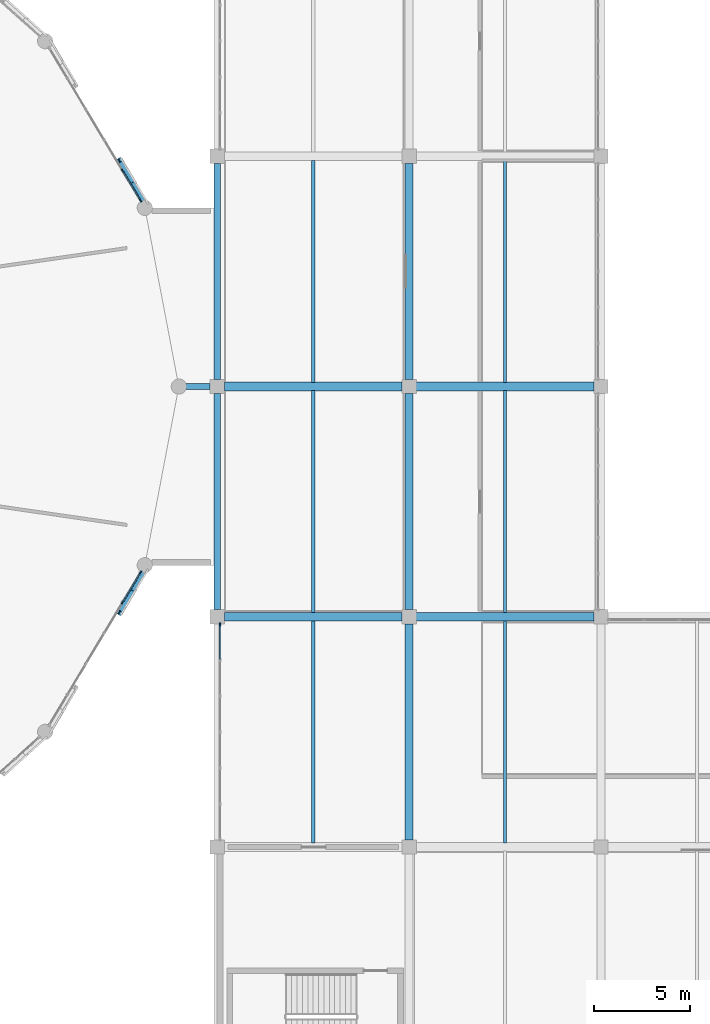
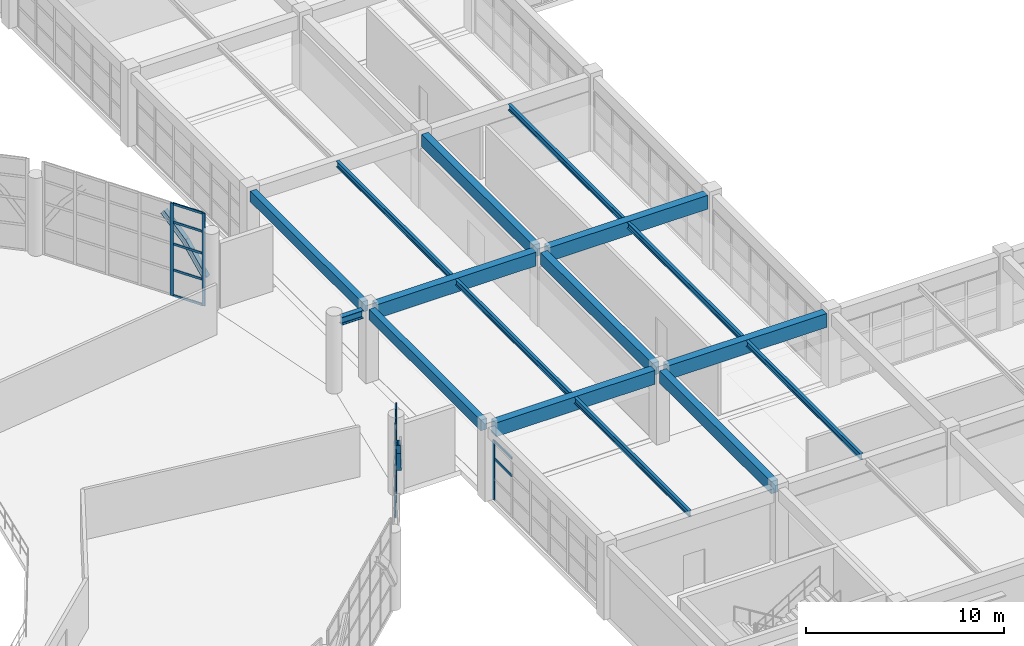
# One storey, part 42 of 109: 20 beams, 17 members, 3 elements without a shape of their own.
"""IFC4 building model written with IfcOpenShell, lengths in metres."""

from ifc_helpers import new_model, si_unit, direction, frame, origin, origin_2d, place, context, subcontext, project, spatial, rectangle, i_section, extrude, material, layer, layer_set, material_profile, profile_set, type_object, element, aggregate, save


model = new_model("IFC4")

# Units and contexts
model_context = context("Model", 3, precision=1e-05, world=origin(), true_north=direction((0.0, 1.0)))
body_context = subcontext(model_context, "Body", "Model", "MODEL_VIEW")
ifc_project = project(units=[si_unit("LENGTHUNIT", "METRE"), si_unit("AREAUNIT", "SQUARE_METRE"), si_unit("VOLUMEUNIT", "CUBIC_METRE"), si_unit("PLANEANGLEUNIT", "RADIAN"), si_unit("MASSUNIT", "GRAM", prefix="KILO")], contexts=[model_context])

# Site, building, storey
site_placement = place(None, origin())
site = spatial("IfcSite", under=ifc_project, at=site_placement, CompositionType="ELEMENT")
building_placement = place(site_placement, origin())
building = spatial("IfcBuilding", under=site, at=building_placement, Name="Kivolera Central Railway Station", CompositionType="ELEMENT")
storey_placement = place(building_placement, frame((0.0, 0.0, 9.60009765625)))
storey = spatial("IfcBuildingStorey", under=building, at=storey_placement, Name="L02", CompositionType="ELEMENT", Elevation=9.60009765625)

# Beams
ifc_material_1 = material(Name="Steel S355", Category="steel")
ifc_material_profile_1 = material_profile(ifc_material_1, i_section(OverallWidth=0.169921875, OverallDepth=0.360107421875, WebThickness=0.008056640625, FlangeThickness=0.0126953125, FilletRadius=0.01806640625, at=origin_2d()), Name="IPE 360")
ifc_profile_set_1 = profile_set([ifc_material_profile_1], Name="Steel S355")
beam_type_1 = type_object("IfcBeamType", Name="BM-JST-IPE360", PredefinedType="JOIST", material=ifc_profile_set_1)
for number, where, z_axis, x_axis, name in (
    (1, (123.0, 66.217041015625, 4.327880859375), (0.0, 1.0, 0.0), (-1.0, 0.0, 0.0), "L02 Floor Joist 12-13/F-G"),
    (2, (123.0, 78.217041015625, 4.327880859375), (0.0, 1.0, 0.0), (-1.0, 0.0, 0.0), "L02 Floor Joist 12-13/G-H"),
    (3, (123.0, 90.217041015625, 4.327880859375), (0.0, 1.0, 0.0), (-1.0, 0.0, 0.0), "L02 Floor Joist 12-13/H-J"),
    (4, (133.0, 66.217041015625, 4.327880859375), (0.0, 1.0, 0.0), (-1.0, 0.0, 0.0), "L02 Floor Joist 13-14/F-G"),
    (5, (133.0, 78.217041015625, 4.327880859375), (0.0, 1.0, 0.0), (-1.0, 0.0, 0.0), "L02 Floor Joist 13-14/G-H"),
    (6, (133.0, 90.217041015625, 4.327880859375), (0.0, 1.0, 0.0), (-1.0, 0.0, 0.0), "L02 Floor Joist 13-14/H-J"),
):
    element("IfcBeam", number, at=place(storey_placement, frame(where, z_axis=z_axis, x_axis=x_axis)), inside=storey, type_object=beam_type_1, Name=name, PredefinedType="JOIST", context=body_context, shape_type="SweptSolid", body=[
        extrude(i_section(OverallWidth=0.169921875, OverallDepth=0.360107421875, WebThickness=0.008056640625, FlangeThickness=0.0126953125, FilletRadius=0.01806640625, at=origin_2d()), origin(), (0.0, 0.0, 1.0), 11.56591796875),
    ])
ifc_material_profile_2 = material_profile(ifc_material_1, i_section(OverallWidth=0.300048828125, OverallDepth=0.300048828125, WebThickness=0.010986328125, FlangeThickness=0.01904296875, FilletRadius=0.027099609375, at=origin_2d()), Name="HEB 300")
ifc_profile_set_2 = profile_set([ifc_material_profile_2], Name="Steel S355")
beam_type_2 = type_object("IfcBeamType", Name="BM-LANT-ARCH", PredefinedType="SPANDREL", material=ifc_profile_set_2)
beam_1_placement = place(storey_placement, frame((114.14892578125, 99.68310546875, 1.699951171875), z_axis=(-0.277888129069, 0.464587463063, 0.840795264548), x_axis=(-0.858196524113, -0.513321269772, 0.0)))
element("IfcBeam", 7, at=beam_1_placement, inside=storey, type_object=beam_type_2, Name="Oval Lantern Structural Arch Rib 02.1", PredefinedType="SPANDREL", context=body_context, shape_type="SweptSolid", body=[
    extrude(i_section(OverallWidth=0.300048828125, OverallDepth=0.300048828125, WebThickness=0.010986328125, FlangeThickness=0.01904296875, FilletRadius=0.027099609375, at=origin_2d()), origin(), (0.0, 0.0, 1.0), 2.259765625),
])
for number, where, z_axis, x_axis, name in (
    (8, (113.52099609375, 100.73291015625, 3.599853515625), (-0.343344267824, 0.573619875132, 0.743690091776), (-0.858038634745, -0.513585145116, 0.0), "Oval Lantern Structural Arch Rib 02.2"),
    (9, (112.89306640625, 78.218017578125, 4.9599609375), (0.343344267824, 0.573619875132, -0.743690091776), (-0.858038634745, 0.513585145116, 0.0), "Oval Lantern Structural Arch Rib 23.5"),
):
    element("IfcBeam", number, at=place(storey_placement, frame(where, z_axis=z_axis, x_axis=x_axis)), inside=storey, type_object=beam_type_2, Name=name, PredefinedType="SPANDREL", context=body_context, shape_type="SweptSolid", body=[
        extrude(i_section(OverallWidth=0.300048828125, OverallDepth=0.300048828125, WebThickness=0.010986328125, FlangeThickness=0.01904296875, FilletRadius=0.027099609375, at=origin_2d()), origin(), (0.0, 0.0, 1.0), 1.828857421875),
    ])
beam_2_placement = place(storey_placement, frame((113.52099609375, 79.26708984375, 3.599853515625), z_axis=(0.277888129069, 0.464587463063, -0.840795264548), x_axis=(-0.858196524113, 0.513321269772, 0.0)))
element("IfcBeam", 10, at=beam_2_placement, inside=storey, type_object=beam_type_2, Name="Oval Lantern Structural Arch Rib 23.6", PredefinedType="SPANDREL", context=body_context, shape_type="SweptSolid", body=[
    extrude(i_section(OverallWidth=0.300048828125, OverallDepth=0.300048828125, WebThickness=0.010986328125, FlangeThickness=0.01904296875, FilletRadius=0.027099609375, at=origin_2d()), origin(), (0.0, 0.0, 1.0), 2.259765625),
])
ifc_material_2 = material(Name="Concrete C40/50", Category="concrete")
ifc_material_profile_3 = material_profile(ifc_material_2, rectangle(XDim=0.39990234375, YDim=0.75, at=origin_2d()), Name="RC 400x750")
ifc_profile_set_3 = profile_set([ifc_material_profile_3], Name="Concrete C40/50")
beam_type_3 = type_object("IfcBeamType", Name="BM-RC-400x750", PredefinedType="BEAM", material=ifc_profile_set_3)
for number, where, z_axis, x_axis, name in (
    (11, (128.0, 66.366943359375, 4.14501953125), (0.0, 1.0, 0.0), (-1.0, 0.0, 0.0), "L02 Wing Y-Beam 13:F-G"),
    (12, (128.0, 78.366943359375, 4.14501953125), (0.0, 1.0, 0.0), (-1.0, 0.0, 0.0), "L02 Wing Y-Beam 13:G-H"),
    (13, (128.0, 90.366943359375, 4.14501953125), (0.0, 1.0, 0.0), (-1.0, 0.0, 0.0), "L02 Wing Y-Beam 13:H-J"),
):
    element("IfcBeam", number, at=place(storey_placement, frame(where, z_axis=z_axis, x_axis=x_axis)), inside=storey, type_object=beam_type_3, Name=name, PredefinedType="BEAM", context=body_context, shape_type="SweptSolid", body=[
        extrude(rectangle(XDim=0.39990234375, YDim=0.75, at=origin_2d()), origin(), (0.0, 0.0, 1.0), 11.26611328125),
    ])
ifc_material_profile_4 = material_profile(ifc_material_2, rectangle(XDim=0.449951171875, YDim=0.85009765625, at=origin_2d()), Name="RC 450x850")
ifc_profile_set_4 = profile_set([ifc_material_profile_4], Name="Concrete C40/50")
beam_type_4 = type_object("IfcBeamType", Name="BM-RC-450x850", PredefinedType="BEAM", material=ifc_profile_set_4)
for number, where, z_axis, x_axis, name in (
    (14, (118.366943359375, 78.0, 4.094970703125), (1.0, 0.0, 0.0), (0.0, 1.0, 0.0), "L02 Wing X-Beam G:12-13"),
    (15, (128.366943359375, 78.0, 4.094970703125), (1.0, 0.0, 0.0), (0.0, 1.0, 0.0), "L02 Wing X-Beam G:13-14"),
    (16, (118.366943359375, 90.0, 4.094970703125), (1.0, 0.0, 0.0), (0.0, 1.0, 0.0), "L02 Wing X-Beam H:12-13"),
    (17, (128.366943359375, 90.0, 4.094970703125), (1.0, 0.0, 0.0), (0.0, 1.0, 0.0), "L02 Wing X-Beam H:13-14"),
):
    element("IfcBeam", number, at=place(storey_placement, frame(where, z_axis=z_axis, x_axis=x_axis)), inside=storey, type_object=beam_type_4, Name=name, PredefinedType="BEAM", context=body_context, shape_type="SweptSolid", body=[
        extrude(rectangle(XDim=0.449951171875, YDim=0.85009765625, at=origin_2d()), origin(), (0.0, 0.0, 1.0), 9.26611328125),
    ])
ifc_material_profile_5 = material_profile(ifc_material_1, i_section(OverallWidth=0.300048828125, OverallDepth=0.489990234375, WebThickness=0.011962890625, FlangeThickness=0.02294921875, FilletRadius=0.027099609375, at=origin_2d()), Name="HEA 500")
ifc_profile_set_5 = profile_set([ifc_material_profile_5], Name="Steel S355")
beam_type_5 = type_object("IfcBeamType", Name="BM-SHD-HEA500", PredefinedType="BEAM", material=ifc_profile_set_5)
beam_3_placement = place(storey_placement, frame((116.3798828125, 90.0, 4.14990234375), z_axis=(1.0, 0.0, 0.0), x_axis=(0.0, 1.0, 0.0)))
element("IfcBeam", 18, at=beam_3_placement, inside=storey, type_object=beam_type_5, Name="L02 Oval-to-Wing Structural Frame Tie Beam", PredefinedType="BEAM", context=body_context, shape_type="SweptSolid", body=[
    extrude(i_section(OverallWidth=0.300048828125, OverallDepth=0.489990234375, WebThickness=0.011962890625, FlangeThickness=0.02294921875, FilletRadius=0.027099609375, at=origin_2d()), origin(), (0.0, 0.0, 1.0), 1.25),
])
ifc_material_profile_6 = material_profile(ifc_material_2, rectangle(XDim=0.35009765625, YDim=0.64990234375, at=origin_2d()), Name="RC 350x650")
ifc_profile_set_6 = profile_set([ifc_material_profile_6], Name="Concrete C40/50")
beam_type_6 = type_object("IfcBeamType", Name="BM-SPN-RC650", PredefinedType="SPANDREL", material=ifc_profile_set_6)
for number, where, z_axis, x_axis, name in (
    (19, (118.0, 78.366943359375, 4.19482421875), (0.0, 1.0, 0.0), (-1.0, 0.0, 0.0), "L02 Wing Y-Beam 12:G-H"),
    (20, (118.0, 90.366943359375, 4.19482421875), (0.0, 1.0, 0.0), (-1.0, 0.0, 0.0), "L02 Wing Y-Beam 12:H-J"),
):
    element("IfcBeam", number, at=place(storey_placement, frame(where, z_axis=z_axis, x_axis=x_axis)), inside=storey, type_object=beam_type_6, Name=name, PredefinedType="SPANDREL", context=body_context, shape_type="SweptSolid", body=[
        extrude(rectangle(XDim=0.35009765625, YDim=0.64990234375, at=origin_2d()), origin(), (0.0, 0.0, 1.0), 11.26611328125),
    ])

# Curtain wall, members
ifc_material_3 = material(Name="Anodised aluminium", Category="aluminium")
ifc_layer_1 = layer(ifc_material_3, 0.179931640625, Name="Anodised aluminium")
ifc_layer_set_1 = layer_set([ifc_layer_1], Name="Anodised aluminium")
curtain_wall_type_1 = type_object("IfcCurtainWallType", Name="CW-SYS-03", PredefinedType="NOTDEFINED", material=ifc_layer_set_1)
curtain_wall_1_placement = place(storey_placement, origin())
curtain_wall_1 = element("IfcCurtainWall", 21, at=curtain_wall_1_placement, inside=storey, type_object=curtain_wall_type_1, Name="L02 Curtain Wall CW-L02-OVL-01", PredefinedType="NOTDEFINED")
ifc_material_profile_7 = material_profile(ifc_material_3, rectangle(XDim=0.070068359375, YDim=0.179931640625, at=origin_2d()), Name="ALU MULL 70x180")
ifc_profile_set_7 = profile_set([ifc_material_profile_7], Name="Anodised aluminium")
member_type_1 = type_object("IfcMemberType", Name="CWM-MUL-1", PredefinedType="MULLION", material=ifc_profile_set_7)
member_1_placement = place(storey_placement, frame((113.06591796875, 101.259521484375, -0.005126953125), z_axis=(0.0, 0.0, 1.0), x_axis=(0.858117186396, 0.513453887327, 0.0)))
member_1 = element("IfcMember", 22, at=member_1_placement, type_object=member_type_1, Name="CW-03 mullion 5", PredefinedType="MULLION", context=body_context, shape_type="SweptSolid", body=[
    extrude(rectangle(XDim=0.070068359375, YDim=0.179931640625, at=origin_2d()), origin(), (0.0, 0.0, 1.0), 5.705078125),
])
member_2_placement = place(storey_placement, frame((114.005126953125, 99.68994140625, -0.005126953125), z_axis=(0.0, 0.0, 1.0), x_axis=(0.858117186396, 0.513453887327, 0.0)))
member_2 = element("IfcMember", 23, at=member_2_placement, type_object=member_type_1, Name="CW-03 mullion 6", PredefinedType="MULLION", context=body_context, shape_type="SweptSolid", body=[
    extrude(rectangle(XDim=0.070068359375, YDim=0.179931640625, at=origin_2d()), origin(), (0.0, 0.0, 1.0), 5.705078125),
])

curtain_wall_2_placement = place(storey_placement, origin())
curtain_wall_2 = element("IfcCurtainWall", 24, at=curtain_wall_2_placement, inside=storey, type_object=curtain_wall_type_1, Name="L02 Curtain Wall CW-L02-OVL-22", PredefinedType="NOTDEFINED")
member_3_placement = place(storey_placement, frame((114.005126953125, 80.31005859375, -0.005126953125), z_axis=(0.0, 0.0, 1.0), x_axis=(0.858117186396, -0.513453887327, 0.0)))
member_3 = element("IfcMember", 25, at=member_3_placement, type_object=member_type_1, Name="CW-03 mullion 1", PredefinedType="MULLION", context=body_context, shape_type="SweptSolid", body=[
    extrude(rectangle(XDim=0.070068359375, YDim=0.179931640625, at=origin_2d()), origin(), (0.0, 0.0, 1.0), 5.705078125),
])
member_4_placement = place(storey_placement, frame((113.06591796875, 78.740478515625, -0.005126953125), z_axis=(0.0, 0.0, 1.0), x_axis=(0.858117186396, -0.513453887327, 0.0)))
member_4 = element("IfcMember", 26, at=member_4_placement, type_object=member_type_1, Name="CW-03 mullion 2", PredefinedType="MULLION", context=body_context, shape_type="SweptSolid", body=[
    extrude(rectangle(XDim=0.070068359375, YDim=0.179931640625, at=origin_2d()), origin(), (0.0, 0.0, 1.0), 5.705078125),
])

# Curtain wall, member
ifc_layer_2 = layer(ifc_material_3, 0.179931640625, Name="Anodised aluminium")
ifc_layer_set_2 = layer_set([ifc_layer_2], Name="Anodised aluminium")
curtain_wall_type_2 = type_object("IfcCurtainWallType", Name="CW-SYS-28", PredefinedType="NOTDEFINED", material=ifc_layer_set_2)
curtain_wall_3_placement = place(storey_placement, origin())
curtain_wall_3 = element("IfcCurtainWall", 27, at=curtain_wall_3_placement, inside=storey, type_object=curtain_wall_type_2, Name="L02 Curtain Wall CW-L02-WEST-F", PredefinedType="NOTDEFINED")
member_5_placement = place(storey_placement, frame((118.153076171875, 77.594970703125, -0.005126953125), z_axis=(0.0, 0.0, 1.0), x_axis=(-1.0, 0.0, 0.0)))
member_5 = element("IfcMember", 28, at=member_5_placement, type_object=member_type_1, Name="CW-28 mullion 7", PredefinedType="MULLION", context=body_context, shape_type="SweptSolid", body=[
    extrude(rectangle(XDim=0.070068359375, YDim=0.179931640625, at=origin_2d()), origin(), (0.0, 0.0, 1.0), 3.6630859375),
])

# Member
ifc_material_profile_8 = material_profile(ifc_material_3, rectangle(XDim=0.070068359375, YDim=0.139892578125, at=origin_2d()), Name="ALU TRAN 70x140")
ifc_profile_set_8 = profile_set([ifc_material_profile_8], Name="Anodised aluminium")
member_type_2 = type_object("IfcMemberType", Name="CWM-TRN-1", PredefinedType="USERDEFINED", material=ifc_profile_set_8)
member_6_placement = place(storey_placement, frame((113.083984375, 101.229248046875, 0.034912109375), z_axis=(0.513454309114, -0.85811693402, 0.0), x_axis=(0.85811693402, 0.513454309114, 0.0)))
member_6 = element("IfcMember", 29, at=member_6_placement, type_object=member_type_2, Name="CW-03 transom 5.1", ObjectType="TRANSOM", PredefinedType="USERDEFINED", context=body_context, shape_type="SweptSolid", body=[
    extrude(rectangle(XDim=0.070068359375, YDim=0.139892578125, at=origin_2d()), origin(), (0.0, 0.0, 1.0), 1.7587890625),
])

member_7_placement = place(storey_placement, frame((113.083984375, 101.229248046875, 1.599853515625), z_axis=(0.513454309114, -0.85811693402, 0.0), x_axis=(0.85811693402, 0.513454309114, 0.0)))
member_7 = element("IfcMember", 30, at=member_7_placement, type_object=member_type_2, Name="CW-03 transom 5.2", ObjectType="TRANSOM", PredefinedType="USERDEFINED", context=body_context, shape_type="SweptSolid", body=[
    extrude(rectangle(XDim=0.070068359375, YDim=0.139892578125, at=origin_2d()), origin(), (0.0, 0.0, 1.0), 1.7587890625),
])

member_8_placement = place(storey_placement, frame((113.083984375, 101.229248046875, 3.199951171875), z_axis=(0.513454309114, -0.85811693402, 0.0), x_axis=(0.85811693402, 0.513454309114, 0.0)))
member_8 = element("IfcMember", 31, at=member_8_placement, type_object=member_type_2, Name="CW-03 transom 5.3", ObjectType="TRANSOM", PredefinedType="USERDEFINED", context=body_context, shape_type="SweptSolid", body=[
    extrude(rectangle(XDim=0.070068359375, YDim=0.139892578125, at=origin_2d()), origin(), (0.0, 0.0, 1.0), 1.7587890625),
])

member_9_placement = place(storey_placement, frame((113.083984375, 101.229248046875, 4.5498046875), z_axis=(0.513454309114, -0.85811693402, 0.0), x_axis=(0.85811693402, 0.513454309114, 0.0)))
member_9 = element("IfcMember", 32, at=member_9_placement, type_object=member_type_2, Name="CW-03 transom 5.4", ObjectType="TRANSOM", PredefinedType="USERDEFINED", context=body_context, shape_type="SweptSolid", body=[
    extrude(rectangle(XDim=0.070068359375, YDim=0.139892578125, at=origin_2d()), origin(), (0.0, 0.0, 1.0), 1.7587890625),
])

member_10_placement = place(storey_placement, frame((113.083984375, 101.229248046875, 5.664794921875), z_axis=(0.513454309114, -0.85811693402, 0.0), x_axis=(0.85811693402, 0.513454309114, 0.0)))
member_10 = element("IfcMember", 33, at=member_10_placement, type_object=member_type_2, Name="CW-03 transom 5.5", ObjectType="TRANSOM", PredefinedType="USERDEFINED", context=body_context, shape_type="SweptSolid", body=[
    extrude(rectangle(XDim=0.070068359375, YDim=0.139892578125, at=origin_2d()), origin(), (0.0, 0.0, 1.0), 1.7587890625),
])

aggregate(curtain_wall_1, [member_1, member_2, member_6, member_7, member_8, member_9, member_10])

member_11_placement = place(storey_placement, frame((113.987060546875, 80.280029296875, 0.034912109375), z_axis=(-0.513454309114, -0.85811693402, 0.0), x_axis=(0.85811693402, -0.513454309114, 0.0)))
member_11 = element("IfcMember", 34, at=member_11_placement, type_object=member_type_2, Name="CW-03 transom 1.1", ObjectType="TRANSOM", PredefinedType="USERDEFINED", context=body_context, shape_type="SweptSolid", body=[
    extrude(rectangle(XDim=0.070068359375, YDim=0.139892578125, at=origin_2d()), origin(), (0.0, 0.0, 1.0), 1.7587890625),
])

member_12_placement = place(storey_placement, frame((113.987060546875, 80.280029296875, 1.599853515625), z_axis=(-0.513454309114, -0.85811693402, 0.0), x_axis=(0.85811693402, -0.513454309114, 0.0)))
member_12 = element("IfcMember", 35, at=member_12_placement, type_object=member_type_2, Name="CW-03 transom 1.2", ObjectType="TRANSOM", PredefinedType="USERDEFINED", context=body_context, shape_type="SweptSolid", body=[
    extrude(rectangle(XDim=0.070068359375, YDim=0.139892578125, at=origin_2d()), origin(), (0.0, 0.0, 1.0), 1.7587890625),
])

member_13_placement = place(storey_placement, frame((113.987060546875, 80.280029296875, 3.199951171875), z_axis=(-0.513454309114, -0.85811693402, 0.0), x_axis=(0.85811693402, -0.513454309114, 0.0)))
member_13 = element("IfcMember", 36, at=member_13_placement, type_object=member_type_2, Name="CW-03 transom 1.3", ObjectType="TRANSOM", PredefinedType="USERDEFINED", context=body_context, shape_type="SweptSolid", body=[
    extrude(rectangle(XDim=0.070068359375, YDim=0.139892578125, at=origin_2d()), origin(), (0.0, 0.0, 1.0), 1.7587890625),
])

member_14_placement = place(storey_placement, frame((113.987060546875, 80.280029296875, 4.5498046875), z_axis=(-0.513454309114, -0.85811693402, 0.0), x_axis=(0.85811693402, -0.513454309114, 0.0)))
member_14 = element("IfcMember", 37, at=member_14_placement, type_object=member_type_2, Name="CW-03 transom 1.4", ObjectType="TRANSOM", PredefinedType="USERDEFINED", context=body_context, shape_type="SweptSolid", body=[
    extrude(rectangle(XDim=0.070068359375, YDim=0.139892578125, at=origin_2d()), origin(), (0.0, 0.0, 1.0), 1.7587890625),
])

member_15_placement = place(storey_placement, frame((113.987060546875, 80.280029296875, 5.664794921875), z_axis=(-0.513454309114, -0.85811693402, 0.0), x_axis=(0.85811693402, -0.513454309114, 0.0)))
member_15 = element("IfcMember", 38, at=member_15_placement, type_object=member_type_2, Name="CW-03 transom 1.5", ObjectType="TRANSOM", PredefinedType="USERDEFINED", context=body_context, shape_type="SweptSolid", body=[
    extrude(rectangle(XDim=0.070068359375, YDim=0.139892578125, at=origin_2d()), origin(), (0.0, 0.0, 1.0), 1.7587890625),
])

aggregate(curtain_wall_2, [member_3, member_4, member_11, member_12, member_13, member_14, member_15])

member_16_placement = place(storey_placement, frame((118.153076171875, 75.788330078125, 2.560546875), z_axis=(0.0, 1.0, 0.0), x_axis=(-1.0, 0.0, 0.0)))
member_16 = element("IfcMember", 39, at=member_16_placement, type_object=member_type_2, Name="CW-28 transom 6.3", ObjectType="TRANSOM", PredefinedType="USERDEFINED", context=body_context, shape_type="SweptSolid", body=[
    extrude(rectangle(XDim=0.070068359375, YDim=0.139892578125, at=origin_2d()), origin(), (0.0, 0.0, 1.0), 1.771728515625),
])

member_17_placement = place(storey_placement, frame((118.153076171875, 75.788330078125, 3.622802734375), z_axis=(0.0, 1.0, 0.0), x_axis=(-1.0, 0.0, 0.0)))
member_17 = element("IfcMember", 40, at=member_17_placement, type_object=member_type_2, Name="CW-28 transom 6.4", ObjectType="TRANSOM", PredefinedType="USERDEFINED", context=body_context, shape_type="SweptSolid", body=[
    extrude(rectangle(XDim=0.070068359375, YDim=0.139892578125, at=origin_2d()), origin(), (0.0, 0.0, 1.0), 1.771728515625),
])

aggregate(curtain_wall_3, [member_5, member_16, member_17])

save(model, "model.ifc")
